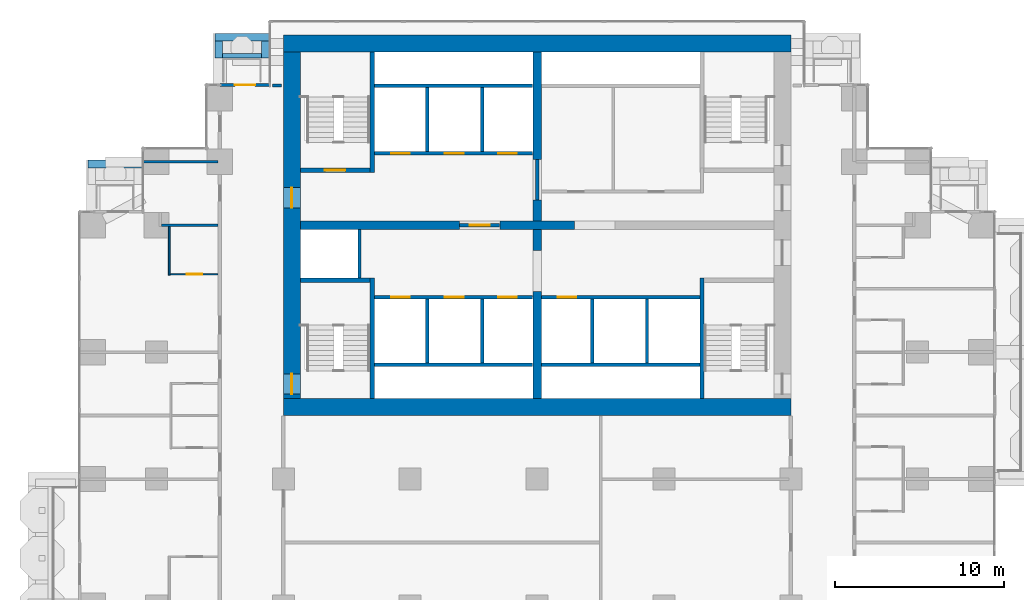
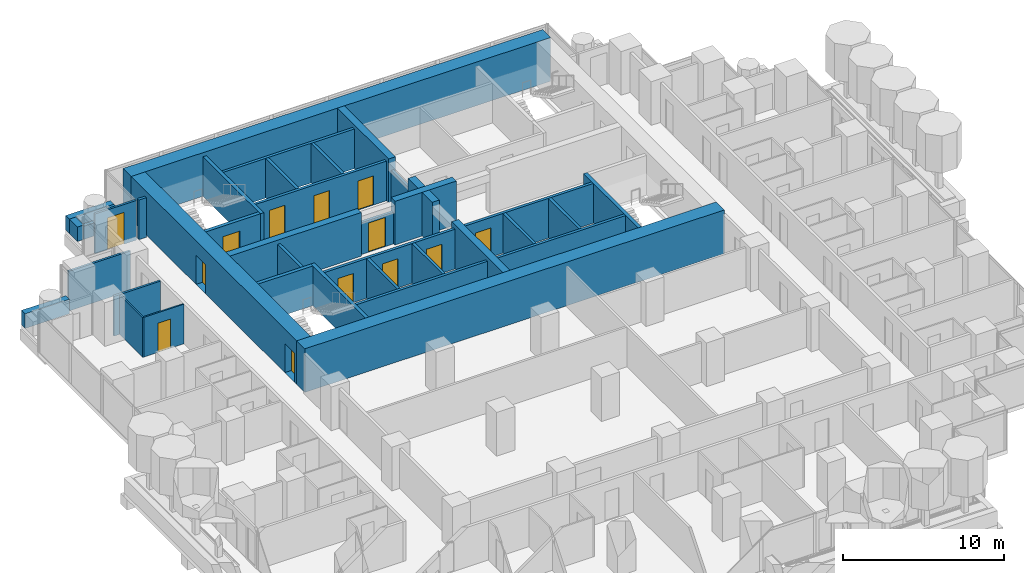
# One storey, part 14 of 19: 40 walls, 13 doors, 13 openings.
"""IFC4 building model written with IfcOpenShell, lengths in metres."""

from ifc_helpers import new_model, si_unit, direction, frame, frame_2d, origin, place, context, subcontext, project, spatial, rectangle, extrude, material, layer, layer_set, type_object, element, fill, save


model = new_model("IFC4")

# Units and contexts
model_context = context("Model", 3, precision=1e-05, world=origin(), true_north=direction((0.0, 1.0)))
body_context = subcontext(model_context, "Body", "Model", "MODEL_VIEW")
ifc_project = project(units=[si_unit("LENGTHUNIT", "METRE"), si_unit("AREAUNIT", "SQUARE_METRE"), si_unit("VOLUMEUNIT", "CUBIC_METRE"), si_unit("PLANEANGLEUNIT", "RADIAN"), si_unit("MASSUNIT", "GRAM", prefix="KILO")], contexts=[model_context])

# Site, building, storey
site_placement = place(None, origin())
site = spatial("IfcSite", under=ifc_project, at=site_placement, CompositionType="ELEMENT")
building_placement = place(site_placement, origin())
building = spatial("IfcBuilding", under=site, at=building_placement, Name="Pilkhan Gate Tower", CompositionType="ELEMENT")
storey_placement = place(building_placement, frame((0.0, 0.0, 59.300048828125)))
storey = spatial("IfcBuildingStorey", under=building, at=storey_placement, Name="L12", CompositionType="ELEMENT", Elevation=59.300048828125)

# Walls
ifc_material_1 = material(Name="Concrete C40/50", Category="concrete")
ifc_layer_1 = layer(ifc_material_1, 0.25)
ifc_layer_set_1 = layer_set([ifc_layer_1], Name="Balcony planter BP250")
wall_type_1 = type_object("IfcWallType", Name="Balcony planter BP250", PredefinedType="USERDEFINED", material=ifc_layer_set_1)
wall_1_placement = place(storey_placement, frame((56.39990234375, 92.52490234375, 0.0), z_axis=(0.0, 0.0, 1.0), x_axis=(1.0, 0.0, 0.0)))
element("IfcWall", 1, at=wall_1_placement, inside=storey, type_object=wall_type_1, Name="Balcony planter L12 N", ObjectType="BALCONY PLANTER", PredefinedType="USERDEFINED", context=body_context, shape_type="SweptSolid", body=[
    extrude(rectangle(XDim=2.300048828125, YDim=0.25, at=frame_2d((1.14990234375, 0.0))), origin(), (0.0, 0.0, 1.0), 1.0),
])
ifc_material_2 = material(Name="Board-marked Concrete C40/50", Category="concrete")
ifc_layer_2 = layer(ifc_material_2, 0.449951171875)
ifc_layer_set_2 = layer_set([ifc_layer_2], Name="Balcony planter lip BL450")
wall_type_2 = type_object("IfcWallType", Name="Balcony planter lip BL450", PredefinedType="USERDEFINED", material=ifc_layer_set_2)
wall_2_placement = place(storey_placement, frame((55.949951171875, 93.625, 0.0), z_axis=(0.0, 0.0, 1.0), x_axis=(1.0, 0.0, 0.0)))
element("IfcWall", 2, at=wall_2_placement, inside=storey, type_object=wall_type_2, Name="Balcony planter L12 N", ObjectType="BALCONY PLANTER", PredefinedType="USERDEFINED", context=body_context, shape_type="SweptSolid", body=[
    extrude(rectangle(XDim=3.199951171875, YDim=0.449951171875, at=frame_2d((1.60009765625, 0.0))), origin(), (0.0, 0.0, 1.0), 1.099853515625),
])
for number, where, z_axis, x_axis, name in (
    (3, (56.175048828125, 92.39990234375, 0.0), (0.0, 0.0, 1.0), (0.0, 1.0, 0.0), "Balcony planter L12 N"),
    (4, (58.925048828125, 92.39990234375, 0.0), (0.0, 0.0, 1.0), (0.0, 1.0, 0.0), "Balcony planter L12 N"),
):
    element("IfcWall", number, at=place(storey_placement, frame(where, z_axis=z_axis, x_axis=x_axis)), inside=storey, type_object=wall_type_2, Name=name, ObjectType="BALCONY PLANTER", PredefinedType="USERDEFINED", context=body_context, shape_type="SweptSolid", body=[
        extrude(rectangle(XDim=1.0, YDim=0.449951171875, at=frame_2d((0.5, 0.0))), origin(), (0.0, 0.0, 1.0), 1.099853515625),
    ])
wall_3_placement = place(storey_placement, frame((48.449951171875, 86.125, 0.0), z_axis=(0.0, 0.0, 1.0), x_axis=(1.0, 0.0, 0.0)))
element("IfcWall", 5, at=wall_3_placement, inside=storey, type_object=wall_type_2, Name="Balcony planter L12 N", ObjectType="BALCONY PLANTER", PredefinedType="USERDEFINED", context=body_context, shape_type="SweptSolid", body=[
    extrude(rectangle(XDim=3.179931640625, YDim=0.449951171875, at=frame_2d((1.58984375, 0.0))), origin(), (0.0, 0.0, 1.0), 1.099853515625),
])
ifc_material_3 = material(Name="Concrete C70/85", Category="concrete")
ifc_layer_3 = layer(ifc_material_3, 1.0)
ifc_layer_set_3 = layer_set([ifc_layer_3], Name="Core wall CW1000 C70/85")
wall_type_3 = type_object("IfcWallType", Name="Core wall CW1000 C70/85", PredefinedType="SHEAR", material=ifc_layer_set_3)
for number, where, z_axis, x_axis, name in (
    (6, (60.0, 71.75, 0.0), (0.0, 0.0, 1.0), (1.0, 0.0, 0.0), "Core wall S L12"),
    (7, (90.0, 93.25, 0.0), (0.0, 0.0, 1.0), (-1.0, 0.0, 0.0), "Core wall N L12"),
):
    element("IfcWall", number, at=place(storey_placement, frame(where, z_axis=z_axis, x_axis=x_axis)), inside=storey, type_object=wall_type_3, Name=name, PredefinedType="SHEAR", context=body_context, shape_type="SweptSolid", body=[
        extrude(rectangle(XDim=30.0, YDim=1.0, at=frame_2d((15.0, 0.0))), origin(), (0.0, 0.0, 1.0), 3.300048828125),
    ])

# Wall, openings, doors
wall_4_placement = place(storey_placement, frame((60.5, 92.75, 0.0), z_axis=(0.0, 0.0, 1.0), x_axis=(0.0, -1.0, 0.0)))
wall_4 = element("IfcWall", 8, at=wall_4_placement, inside=storey, type_object=wall_type_3, Name="Core wall W L12", PredefinedType="SHEAR", context=body_context, shape_type="SweptSolid", body=[
    extrude(rectangle(XDim=20.5, YDim=1.0, at=frame_2d((10.25, 0.0))), origin(), (0.0, 0.0, 1.0), 3.300048828125),
])
opening_1_placement = place(wall_4_placement, frame((19.02490234375, 0.0, 0.0)))
opening_1 = element("IfcOpeningElement", 9, at=opening_1_placement, cuts=wall_4, Name="Opening L12-04", PredefinedType="OPENING", context=body_context, shape_type="SweptSolid", body=[
    extrude(rectangle(XDim=1.199951171875, YDim=2.199951171875, at=frame_2d((0.60009765625, 1.10009765625))), frame((0.0, 0.510009765625, 0.0), z_axis=(0.0, -1.0, 0.0), x_axis=(1.0, 0.0, 0.0)), (0.0, 0.0, 1.0), 1.02001953125),
])
opening_2_placement = place(wall_4_placement, frame((8.02490234375, 0.0, 0.0)))
opening_2 = element("IfcOpeningElement", 10, at=opening_2_placement, cuts=wall_4, Name="Opening L12-45", PredefinedType="OPENING", context=body_context, shape_type="SweptSolid", body=[
    extrude(rectangle(XDim=1.199951171875, YDim=2.199951171875, at=frame_2d((0.60009765625, 1.10009765625))), frame((0.0, 0.510009765625, 0.0), z_axis=(0.0, -1.0, 0.0), x_axis=(1.0, 0.0, 0.0)), (0.0, 0.0, 1.0), 1.02001953125),
])
ifc_material_4 = material(Name="Steel door, 120 minute fire resisting, self-closing", Category="steel")
door_type_1 = type_object("IfcDoorType", Name="Firefighting lobby door D10 1200x2200", OperationType="SINGLE_SWING_LEFT", PredefinedType="DOOR", material=ifc_material_4)
door_1_placement = place(opening_2_placement, origin())
door_1 = element("IfcDoor", 11, at=door_1_placement, inside=storey, type_object=door_type_1, Name="Core door", OperationType="SINGLE_SWING_LEFT", OverallHeight=2.199951171875, OverallWidth=1.199951171875, PredefinedType="DOOR", context=body_context, shape_type="SweptSolid", body=[
    extrude(rectangle(XDim=1.199951171875, YDim=2.199951171875, at=frame_2d((0.60009765625, 1.10009765625))), frame((0.0, 0.02490234375, 0.0), z_axis=(0.0, -1.0, 0.0), x_axis=(1.0, 0.0, 0.0)), (0.0, 0.0, 1.0), 0.050048828125),
])
fill(opening_2, door_1)
ifc_material_5 = material(Name="Steel door, 120 minute fire resisting, panic bar", Category="steel")
door_type_2 = type_object("IfcDoorType", Name="Stair door D11 1200x2200", OperationType="SINGLE_SWING_LEFT", PredefinedType="DOOR", material=ifc_material_5)
door_2_placement = place(opening_1_placement, origin())
door_2 = element("IfcDoor", 12, at=door_2_placement, inside=storey, type_object=door_type_2, Name="Stair ST2 door", OperationType="SINGLE_SWING_LEFT", OverallHeight=2.199951171875, OverallWidth=1.199951171875, PredefinedType="DOOR", context=body_context, shape_type="SweptSolid", body=[
    extrude(rectangle(XDim=1.199951171875, YDim=2.199951171875, at=frame_2d((0.60009765625, 1.10009765625))), frame((0.0, 0.02490234375, 0.0), z_axis=(0.0, -1.0, 0.0), x_axis=(1.0, 0.0, 0.0)), (0.0, 0.0, 1.0), 0.050048828125),
])
fill(opening_1, door_2)

# Wall
ifc_material_6 = material(Name="Dense blockwork", Category="masonry")
ifc_layer_4 = layer(ifc_material_6, 0.199951171875)
ifc_layer_set_4 = layer_set([ifc_layer_4], Name="Corridor wall FW200")
wall_type_4 = type_object("IfcWallType", Name="Corridor wall FW200", PredefinedType="PARTITIONING", material=ifc_layer_set_4)
wall_5_placement = place(storey_placement, frame((59.35498046875, 90.764892578125, 0.0), z_axis=(0.0, 0.0, 1.0), x_axis=(1.0, 0.0, 0.0)))
element("IfcWall", 13, at=wall_5_placement, inside=storey, type_object=wall_type_4, Name="Partition L12", PredefinedType="PARTITIONING", context=body_context, shape_type="SweptSolid", body=[
    extrude(rectangle(XDim=0.52490234375, YDim=0.199951171875, at=frame_2d((0.262451171875, 0.0))), origin(), (0.0, 0.0, 1.0), 3.0),
])

# Wall, opening, door
ifc_material_7 = material(Name="Pale anodised aluminium, clear laminated glazing", Category="aluminium")
ifc_layer_5 = layer(ifc_material_7, 0.14990234375)
ifc_layer_set_5 = layer_set([ifc_layer_5], Name="Facade infill wall IW150")
wall_type_5 = type_object("IfcWallType", Name="Facade infill wall IW150", PredefinedType="SOLIDWALL", material=ifc_layer_set_5)
wall_6_placement = place(storey_placement, frame((56.25, 90.794921875, 0.0), z_axis=(0.0, 0.0, 1.0), x_axis=(1.0, 0.0, 0.0)))
wall_6 = element("IfcWall", 14, at=wall_6_placement, inside=storey, type_object=wall_type_5, Name="Infill wall L12 N", PredefinedType="SOLIDWALL", context=body_context, shape_type="SweptSolid", body=[
    extrude(rectangle(XDim=2.955078125, YDim=0.14990234375, at=frame_2d((1.4775390625, 0.0))), origin(), (0.0, 0.0, 1.0), 3.0),
])
opening_3_placement = place(wall_6_placement, frame((0.87744140625, 0.0, 0.0)))
opening_3 = element("IfcOpeningElement", 15, at=opening_3_placement, cuts=wall_6, Name="Opening D1", PredefinedType="OPENING", context=body_context, shape_type="SweptSolid", body=[
    extrude(rectangle(XDim=1.199951171875, YDim=2.39990234375, at=frame_2d((0.60009765625, 1.199951171875))), frame((0.0, 0.0849609375, 0.0), z_axis=(0.0, -1.0, 0.0), x_axis=(1.0, 0.0, 0.0)), (0.0, 0.0, 1.0), 0.169921875),
])
ifc_material_8 = material(Name="Pale anodised aluminium, clear glazing", Category="aluminium")
door_type_3 = type_object("IfcDoorType", Name="Balcony door D1 1200x2400", OperationType="SINGLE_SWING_LEFT", PredefinedType="DOOR", material=ifc_material_8)
door_3_placement = place(opening_3_placement, origin())
door_3 = element("IfcDoor", 16, at=door_3_placement, inside=storey, type_object=door_type_3, Name="Balcony door L12", OperationType="SINGLE_SWING_LEFT", OverallHeight=2.39990234375, OverallWidth=1.199951171875, PredefinedType="DOOR", context=body_context, shape_type="SweptSolid", body=[
    extrude(rectangle(XDim=1.199951171875, YDim=2.39990234375, at=frame_2d((0.60009765625, 1.199951171875))), frame((0.0, 0.02490234375, 0.0), z_axis=(0.0, -1.0, 0.0), x_axis=(1.0, 0.0, 0.0)), (0.0, 0.0, 1.0), 0.050048828125),
])
fill(opening_3, door_3)

ifc_layer_6 = layer(ifc_material_6, 0.199951171875)
ifc_layer_set_6 = layer_set([ifc_layer_6], Name="Lobby wall LW200")
wall_type_6 = type_object("IfcWallType", Name="Lobby wall LW200", PredefinedType="PARTITIONING", material=ifc_layer_set_6)
wall_7_placement = place(storey_placement, frame((70.409912109375, 82.5, 0.0), z_axis=(0.0, 0.0, 1.0), x_axis=(1.0, 0.0, 0.0)))
wall_7 = element("IfcWall", 17, at=wall_7_placement, inside=storey, type_object=wall_type_6, Name="Partition L12", PredefinedType="PARTITIONING", context=body_context, shape_type="SweptSolid", body=[
    extrude(rectangle(XDim=2.380126953125, YDim=0.199951171875, at=frame_2d((1.18994140625, 0.0))), origin(), (0.0, 0.0, 1.0), 2.39990234375),
])
opening_4_placement = place(wall_7_placement, frame((0.60009765625, 0.0, 0.0)))
opening_4 = element("IfcOpeningElement", 18, at=opening_4_placement, cuts=wall_7, Name="Opening L12-01", PredefinedType="OPENING", context=body_context, shape_type="SweptSolid", body=[
    extrude(rectangle(XDim=1.199951171875, YDim=2.199951171875, at=frame_2d((0.60009765625, 1.10009765625))), frame((0.0, 0.10986328125, 0.0), z_axis=(0.0, -1.0, 0.0), x_axis=(1.0, 0.0, 0.0)), (0.0, 0.0, 1.0), 0.219970703125),
])
door_4_placement = place(opening_4_placement, origin())
door_4 = element("IfcDoor", 19, at=door_4_placement, inside=storey, type_object=door_type_1, Name="Firefighting lobby door", OperationType="SINGLE_SWING_RIGHT", OverallHeight=2.199951171875, OverallWidth=1.199951171875, PredefinedType="DOOR", context=body_context, shape_type="SweptSolid", body=[
    extrude(rectangle(XDim=1.199951171875, YDim=2.199951171875, at=frame_2d((0.60009765625, 1.10009765625))), frame((0.0, 0.02490234375, 0.0), z_axis=(0.0, -1.0, 0.0), x_axis=(1.0, 0.0, 0.0)), (0.0, 0.0, 1.0), 0.050048828125),
])
fill(opening_4, door_4)

# Walls
wall_8_placement = place(storey_placement, frame((75.0, 84.010009765625, 0.0), z_axis=(0.0, 0.0, 1.0), x_axis=(0.0, 1.0, 0.0)))
element("IfcWall", 20, at=wall_8_placement, inside=storey, type_object=wall_type_6, Name="Partition L12", PredefinedType="PARTITIONING", context=body_context, shape_type="SweptSolid", body=[
    extrude(rectangle(XDim=2.3798828125, YDim=0.199951171875, at=frame_2d((1.18994140625, 0.0))), origin(), (0.0, 0.0, 1.0), 2.39990234375),
])
ifc_material_9 = material(Name="Blockwork partition, plastered both sides", Category="masonry")
ifc_layer_7 = layer(ifc_material_9, 0.14990234375)
ifc_layer_set_7 = layer_set([ifc_layer_7], Name="Partition PW150")
wall_type_7 = type_object("IfcWallType", Name="Partition PW150", PredefinedType="PARTITIONING", material=ifc_layer_set_7)
wall_9_placement = place(storey_placement, frame((52.81005859375, 82.5, 0.0), z_axis=(0.0, 0.0, 1.0), x_axis=(1.0, 0.0, 0.0)))
element("IfcWall", 21, at=wall_9_placement, inside=storey, type_object=wall_type_7, Name="Partition L12", PredefinedType="PARTITIONING", context=body_context, shape_type="SweptSolid", body=[
    extrude(rectangle(XDim=3.33984375, YDim=0.14990234375, at=frame_2d((1.669921875, 0.0))), origin(), (0.0, 0.0, 1.0), 3.0),
])
wall_10_placement = place(storey_placement, frame((51.735107421875, 86.25, 0.0), z_axis=(0.0, 0.0, 1.0), x_axis=(1.0, 0.0, 0.0)))
element("IfcWall", 22, at=wall_10_placement, inside=storey, type_object=wall_type_7, Name="Partition L12", PredefinedType="PARTITIONING", context=body_context, shape_type="SweptSolid", body=[
    extrude(rectangle(XDim=4.414794921875, YDim=0.14990234375, at=frame_2d((2.20751953125, 0.0))), origin(), (0.0, 0.0, 1.0), 3.0),
])
ifc_material_10 = material(Name="Reinforced blockwork shaft wall, 120 minute fire resisting", Category="masonry")
ifc_layer_8 = layer(ifc_material_10, 0.199951171875)
ifc_layer_set_8 = layer_set([ifc_layer_8], Name="Shaft wall SW200")
wall_type_8 = type_object("IfcWallType", Name="Shaft wall SW200", PredefinedType="PARTITIONING", material=ifc_layer_set_8)
for number, where, z_axis, x_axis, name in (
    (23, (65.375, 74.25, 0.0), (0.0, 0.0, 1.0), (1.0, 0.0, 0.0), "Partition L12"),
    (24, (75.260009765625, 74.25, 0.0), (0.0, 0.0, 1.0), (1.0, 0.0, 0.0), "Partition L12"),
):
    element("IfcWall", number, at=place(storey_placement, frame(where, z_axis=z_axis, x_axis=x_axis)), inside=storey, type_object=wall_type_8, Name=name, PredefinedType="PARTITIONING", context=body_context, shape_type="SweptSolid", body=[
        extrude(rectangle(XDim=9.364990234375, YDim=0.199951171875, at=frame_2d((4.6826171875, 0.0))), origin(), (0.0, 0.0, 1.0), 3.0),
    ])

# Wall, openings, doors
wall_11_placement = place(storey_placement, frame((65.375, 78.25, 0.0), z_axis=(0.0, 0.0, 1.0), x_axis=(1.0, 0.0, 0.0)))
wall_11 = element("IfcWall", 25, at=wall_11_placement, inside=storey, type_object=wall_type_8, Name="Partition L12", PredefinedType="PARTITIONING", context=body_context, shape_type="SweptSolid", body=[
    extrude(rectangle(XDim=9.364990234375, YDim=0.199951171875, at=frame_2d((4.6826171875, 0.0))), origin(), (0.0, 0.0, 1.0), 3.0),
])
opening_5_placement = place(wall_11_placement, frame((1.0, 0.0, 0.0)))
opening_5 = element("IfcOpeningElement", 26, at=opening_5_placement, cuts=wall_11, Name="Opening LD", PredefinedType="OPENING", context=body_context, shape_type="SweptSolid", body=[
    extrude(rectangle(XDim=1.10009765625, YDim=2.199951171875, at=frame_2d((0.550048828125, 1.10009765625))), frame((0.0, 0.10986328125, 0.0), z_axis=(0.0, -1.0, 0.0), x_axis=(1.0, 0.0, 0.0)), (0.0, 0.0, 1.0), 0.219970703125),
])
opening_6_placement = place(wall_11_placement, frame((4.175048828125, 0.0, 0.0)))
opening_6 = element("IfcOpeningElement", 27, at=opening_6_placement, cuts=wall_11, Name="Opening LD", PredefinedType="OPENING", context=body_context, shape_type="SweptSolid", body=[
    extrude(rectangle(XDim=1.10009765625, YDim=2.199951171875, at=frame_2d((0.550048828125, 1.10009765625))), frame((0.0, 0.10986328125, 0.0), z_axis=(0.0, -1.0, 0.0), x_axis=(1.0, 0.0, 0.0)), (0.0, 0.0, 1.0), 0.219970703125),
])
opening_7_placement = place(wall_11_placement, frame((7.324951171875, 0.0, 0.0)))
opening_7 = element("IfcOpeningElement", 28, at=opening_7_placement, cuts=wall_11, Name="Opening LD", PredefinedType="OPENING", context=body_context, shape_type="SweptSolid", body=[
    extrude(rectangle(XDim=1.10009765625, YDim=2.199951171875, at=frame_2d((0.550048828125, 1.10009765625))), frame((0.0, 0.10986328125, 0.0), z_axis=(0.0, -1.0, 0.0), x_axis=(1.0, 0.0, 0.0)), (0.0, 0.0, 1.0), 0.219970703125),
])
ifc_material_11 = material(Name="Stainless steel centre-opening landing door, 120 minute fire resisting", Category="steel")
door_type_4 = type_object("IfcDoorType", Name="Lift landing door LD 1100x2200", OperationType="DOUBLE_DOOR_SLIDING", PredefinedType="DOOR", material=ifc_material_11)
door_5_placement = place(opening_5_placement, origin())
door_5 = element("IfcDoor", 29, at=door_5_placement, inside=storey, type_object=door_type_4, Name="Landing door LR1", OperationType="DOUBLE_DOOR_SLIDING", OverallHeight=2.199951171875, OverallWidth=1.10009765625, PredefinedType="DOOR", context=body_context, shape_type="SweptSolid", body=[
    extrude(rectangle(XDim=1.10009765625, YDim=2.199951171875, at=frame_2d((0.550048828125, 1.10009765625))), frame((0.0, 0.02490234375, 0.0), z_axis=(0.0, -1.0, 0.0), x_axis=(1.0, 0.0, 0.0)), (0.0, 0.0, 1.0), 0.050048828125),
])
fill(opening_5, door_5)
door_6_placement = place(opening_6_placement, origin())
door_6 = element("IfcDoor", 30, at=door_6_placement, inside=storey, type_object=door_type_4, Name="Landing door LR2", OperationType="DOUBLE_DOOR_SLIDING", OverallHeight=2.199951171875, OverallWidth=1.10009765625, PredefinedType="DOOR", context=body_context, shape_type="SweptSolid", body=[
    extrude(rectangle(XDim=1.10009765625, YDim=2.199951171875, at=frame_2d((0.550048828125, 1.10009765625))), frame((0.0, 0.02490234375, 0.0), z_axis=(0.0, -1.0, 0.0), x_axis=(1.0, 0.0, 0.0)), (0.0, 0.0, 1.0), 0.050048828125),
])
fill(opening_6, door_6)
door_7_placement = place(opening_7_placement, origin())
door_7 = element("IfcDoor", 31, at=door_7_placement, inside=storey, type_object=door_type_4, Name="Landing door LR3", OperationType="DOUBLE_DOOR_SLIDING", OverallHeight=2.199951171875, OverallWidth=1.10009765625, PredefinedType="DOOR", context=body_context, shape_type="SweptSolid", body=[
    extrude(rectangle(XDim=1.10009765625, YDim=2.199951171875, at=frame_2d((0.550048828125, 1.10009765625))), frame((0.0, 0.02490234375, 0.0), z_axis=(0.0, -1.0, 0.0), x_axis=(1.0, 0.0, 0.0)), (0.0, 0.0, 1.0), 0.050048828125),
])
fill(opening_7, door_7)

# Wall, opening, door
wall_12_placement = place(storey_placement, frame((75.260009765625, 78.25, 0.0), z_axis=(0.0, 0.0, 1.0), x_axis=(1.0, 0.0, 0.0)))
wall_12 = element("IfcWall", 32, at=wall_12_placement, inside=storey, type_object=wall_type_8, Name="Partition L12", PredefinedType="PARTITIONING", context=body_context, shape_type="SweptSolid", body=[
    extrude(rectangle(XDim=9.364990234375, YDim=0.199951171875, at=frame_2d((4.6826171875, 0.0))), origin(), (0.0, 0.0, 1.0), 3.0),
])
opening_8_placement = place(wall_12_placement, frame((0.949951171875, 0.0, 0.0)))
opening_8 = element("IfcOpeningElement", 33, at=opening_8_placement, cuts=wall_12, Name="Opening LD", PredefinedType="OPENING", context=body_context, shape_type="SweptSolid", body=[
    extrude(rectangle(XDim=1.10009765625, YDim=2.199951171875, at=frame_2d((0.550048828125, 1.10009765625))), frame((0.0, 0.10986328125, 0.0), z_axis=(0.0, -1.0, 0.0), x_axis=(1.0, 0.0, 0.0)), (0.0, 0.0, 1.0), 0.219970703125),
])
door_8_placement = place(opening_8_placement, origin())
door_8 = element("IfcDoor", 34, at=door_8_placement, inside=storey, type_object=door_type_4, Name="Landing door LR4", OperationType="DOUBLE_DOOR_SLIDING", OverallHeight=2.199951171875, OverallWidth=1.10009765625, PredefinedType="DOOR", context=body_context, shape_type="SweptSolid", body=[
    extrude(rectangle(XDim=1.10009765625, YDim=2.199951171875, at=frame_2d((0.550048828125, 1.10009765625))), frame((0.0, 0.02490234375, 0.0), z_axis=(0.0, -1.0, 0.0), x_axis=(1.0, 0.0, 0.0)), (0.0, 0.0, 1.0), 0.050048828125),
])
fill(opening_8, door_8)

# Wall, openings, doors
wall_13_placement = place(storey_placement, frame((65.375, 86.75, 0.0), z_axis=(0.0, 0.0, 1.0), x_axis=(1.0, 0.0, 0.0)))
wall_13 = element("IfcWall", 35, at=wall_13_placement, inside=storey, type_object=wall_type_8, Name="Partition L12", PredefinedType="PARTITIONING", context=body_context, shape_type="SweptSolid", body=[
    extrude(rectangle(XDim=9.364990234375, YDim=0.199951171875, at=frame_2d((4.6826171875, 0.0))), origin(), (0.0, 0.0, 1.0), 3.0),
])
opening_9_placement = place(wall_13_placement, frame((1.0, 0.0, 0.0)))
opening_9 = element("IfcOpeningElement", 36, at=opening_9_placement, cuts=wall_13, Name="Opening LD", PredefinedType="OPENING", context=body_context, shape_type="SweptSolid", body=[
    extrude(rectangle(XDim=1.10009765625, YDim=2.199951171875, at=frame_2d((0.550048828125, 1.10009765625))), frame((0.0, 0.10986328125, 0.0), z_axis=(0.0, -1.0, 0.0), x_axis=(1.0, 0.0, 0.0)), (0.0, 0.0, 1.0), 0.219970703125),
])
opening_10_placement = place(wall_13_placement, frame((4.175048828125, 0.0, 0.0)))
opening_10 = element("IfcOpeningElement", 37, at=opening_10_placement, cuts=wall_13, Name="Opening LD", PredefinedType="OPENING", context=body_context, shape_type="SweptSolid", body=[
    extrude(rectangle(XDim=1.10009765625, YDim=2.199951171875, at=frame_2d((0.550048828125, 1.10009765625))), frame((0.0, 0.10986328125, 0.0), z_axis=(0.0, -1.0, 0.0), x_axis=(1.0, 0.0, 0.0)), (0.0, 0.0, 1.0), 0.219970703125),
])
opening_11_placement = place(wall_13_placement, frame((7.324951171875, 0.0, 0.0)))
opening_11 = element("IfcOpeningElement", 38, at=opening_11_placement, cuts=wall_13, Name="Opening LD", PredefinedType="OPENING", context=body_context, shape_type="SweptSolid", body=[
    extrude(rectangle(XDim=1.10009765625, YDim=2.199951171875, at=frame_2d((0.550048828125, 1.10009765625))), frame((0.0, 0.10986328125, 0.0), z_axis=(0.0, -1.0, 0.0), x_axis=(1.0, 0.0, 0.0)), (0.0, 0.0, 1.0), 0.219970703125),
])
door_9_placement = place(opening_9_placement, origin())
door_9 = element("IfcDoor", 39, at=door_9_placement, inside=storey, type_object=door_type_4, Name="Landing door FF1", OperationType="DOUBLE_DOOR_SLIDING", OverallHeight=2.199951171875, OverallWidth=1.10009765625, PredefinedType="DOOR", context=body_context, shape_type="SweptSolid", body=[
    extrude(rectangle(XDim=1.10009765625, YDim=2.199951171875, at=frame_2d((0.550048828125, 1.10009765625))), frame((0.0, 0.02490234375, 0.0), z_axis=(0.0, -1.0, 0.0), x_axis=(1.0, 0.0, 0.0)), (0.0, 0.0, 1.0), 0.050048828125),
])
fill(opening_9, door_9)
door_10_placement = place(opening_10_placement, origin())
door_10 = element("IfcDoor", 40, at=door_10_placement, inside=storey, type_object=door_type_4, Name="Landing door FF2", OperationType="DOUBLE_DOOR_SLIDING", OverallHeight=2.199951171875, OverallWidth=1.10009765625, PredefinedType="DOOR", context=body_context, shape_type="SweptSolid", body=[
    extrude(rectangle(XDim=1.10009765625, YDim=2.199951171875, at=frame_2d((0.550048828125, 1.10009765625))), frame((0.0, 0.02490234375, 0.0), z_axis=(0.0, -1.0, 0.0), x_axis=(1.0, 0.0, 0.0)), (0.0, 0.0, 1.0), 0.050048828125),
])
fill(opening_10, door_10)
door_11_placement = place(opening_11_placement, origin())
door_11 = element("IfcDoor", 41, at=door_11_placement, inside=storey, type_object=door_type_4, Name="Landing door SV1", OperationType="DOUBLE_DOOR_SLIDING", OverallHeight=2.199951171875, OverallWidth=1.10009765625, PredefinedType="DOOR", context=body_context, shape_type="SweptSolid", body=[
    extrude(rectangle(XDim=1.10009765625, YDim=2.199951171875, at=frame_2d((0.550048828125, 1.10009765625))), frame((0.0, 0.02490234375, 0.0), z_axis=(0.0, -1.0, 0.0), x_axis=(1.0, 0.0, 0.0)), (0.0, 0.0, 1.0), 0.050048828125),
])
fill(opening_11, door_11)

# Walls
wall_14_placement = place(storey_placement, frame((65.375, 90.75, 0.0), z_axis=(0.0, 0.0, 1.0), x_axis=(1.0, 0.0, 0.0)))
element("IfcWall", 42, at=wall_14_placement, inside=storey, type_object=wall_type_8, Name="Partition L12", PredefinedType="PARTITIONING", context=body_context, shape_type="SweptSolid", body=[
    extrude(rectangle(XDim=9.364990234375, YDim=0.199951171875, at=frame_2d((4.6826171875, 0.0))), origin(), (0.0, 0.0, 1.0), 3.0),
])
wall_15_placement = place(storey_placement, frame((64.5, 79.375, 0.0), z_axis=(0.0, 0.0, 1.0), x_axis=(0.0, 1.0, 0.0)))
element("IfcWall", 43, at=wall_15_placement, inside=storey, type_object=wall_type_8, Name="Partition L12", PredefinedType="PARTITIONING", context=body_context, shape_type="SweptSolid", body=[
    extrude(rectangle(XDim=2.864990234375, YDim=0.199951171875, at=frame_2d((1.4326171875, 0.0))), origin(), (0.0, 0.0, 1.0), 3.0),
])
for number, where, z_axis, x_axis, name in (
    (44, (68.5, 74.35009765625, 0.0), (0.0, 0.0, 1.0), (0.0, 1.0, 0.0), "Partition L12"),
    (45, (68.5, 86.85009765625, 0.0), (0.0, 0.0, 1.0), (0.0, 1.0, 0.0), "Partition L12"),
    (46, (71.75, 74.35009765625, 0.0), (0.0, 0.0, 1.0), (0.0, 1.0, 0.0), "Partition L12"),
    (47, (71.75, 86.85009765625, 0.0), (0.0, 0.0, 1.0), (0.0, 1.0, 0.0), "Partition L12"),
    (48, (78.25, 74.35009765625, 0.0), (0.0, 0.0, 1.0), (0.0, 1.0, 0.0), "Partition L12"),
    (49, (81.5, 74.35009765625, 0.0), (0.0, 0.0, 1.0), (0.0, 1.0, 0.0), "Partition L12"),
):
    element("IfcWall", number, at=place(storey_placement, frame(where, z_axis=z_axis, x_axis=x_axis)), inside=storey, type_object=wall_type_8, Name=name, PredefinedType="PARTITIONING", context=body_context, shape_type="SweptSolid", body=[
        extrude(rectangle(XDim=3.7998046875, YDim=0.199951171875, at=frame_2d((1.89990234375, 0.0))), origin(), (0.0, 0.0, 1.0), 3.0),
    ])
ifc_layer_9 = layer(ifc_material_3, 0.5)
ifc_layer_set_9 = layer_set([ifc_layer_9], Name="Spine wall SW500 C70/85")
wall_type_9 = type_object("IfcWallType", Name="Spine wall SW500 C70/85", PredefinedType="SHEAR", material=ifc_layer_set_9)
wall_16_placement = place(storey_placement, frame((61.0, 82.5, 0.0), z_axis=(0.0, 0.0, 1.0), x_axis=(1.0, 0.0, 0.0)))
element("IfcWall", 50, at=wall_16_placement, inside=storey, type_object=wall_type_9, Name="Spine wall SP-EW1 L12", PredefinedType="SHEAR", context=body_context, shape_type="SweptSolid", body=[
    extrude(rectangle(XDim=9.39990234375, YDim=0.5, at=frame_2d((4.699951171875, 0.0))), origin(), (0.0, 0.0, 1.0), 3.300048828125),
])
wall_17_placement = place(storey_placement, frame((72.800048828125, 82.5, 0.0), z_axis=(0.0, 0.0, 1.0), x_axis=(1.0, 0.0, 0.0)))
element("IfcWall", 51, at=wall_17_placement, inside=storey, type_object=wall_type_9, Name="Spine wall SP-EW2 L12", PredefinedType="SHEAR", context=body_context, shape_type="SweptSolid", body=[
    extrude(rectangle(XDim=4.39990234375, YDim=0.5, at=frame_2d((2.199951171875, 0.0))), origin(), (0.0, 0.0, 1.0), 3.300048828125),
])
wall_18_placement = place(storey_placement, frame((75.0, 72.25, 0.0), z_axis=(0.0, 0.0, 1.0), x_axis=(0.0, 1.0, 0.0)))
element("IfcWall", 52, at=wall_18_placement, inside=storey, type_object=wall_type_9, Name="Spine wall SP-NS-S1 L12", PredefinedType="SHEAR", context=body_context, shape_type="SweptSolid", body=[
    extrude(rectangle(XDim=6.35009765625, YDim=0.5, at=frame_2d((3.175048828125, 0.0))), origin(), (0.0, 0.0, 1.0), 3.300048828125),
])
for number, where, z_axis, x_axis, name in (
    (53, (75.0, 81.0, 0.0), (0.0, 0.0, 1.0), (0.0, 1.0, 0.0), "Spine wall SP-NS-S2 L12"),
    (54, (75.0, 82.75, 0.0), (0.0, 0.0, 1.0), (0.0, 1.0, 0.0), "Spine wall SP-NS-N1 L12"),
):
    element("IfcWall", number, at=place(storey_placement, frame(where, z_axis=z_axis, x_axis=x_axis)), inside=storey, type_object=wall_type_9, Name=name, PredefinedType="SHEAR", context=body_context, shape_type="SweptSolid", body=[
        extrude(rectangle(XDim=1.25, YDim=0.5, at=frame_2d((0.625, 0.0))), origin(), (0.0, 0.0, 1.0), 3.300048828125),
    ])
wall_19_placement = place(storey_placement, frame((75.0, 86.39990234375, 0.0), z_axis=(0.0, 0.0, 1.0), x_axis=(0.0, 1.0, 0.0)))
element("IfcWall", 55, at=wall_19_placement, inside=storey, type_object=wall_type_9, Name="Spine wall SP-NS-N2 L12", PredefinedType="SHEAR", context=body_context, shape_type="SweptSolid", body=[
    extrude(rectangle(XDim=6.35009765625, YDim=0.5, at=frame_2d((3.175048828125, 0.0))), origin(), (0.0, 0.0, 1.0), 3.300048828125),
])
ifc_material_12 = material(Name="Reinforced blockwork, 120 minute fire resisting", Category="masonry")
ifc_layer_10 = layer(ifc_material_12, 0.25)
ifc_layer_set_10 = layer_set([ifc_layer_10], Name="Stair enclosure wall SE250")
wall_type_10 = type_object("IfcWallType", Name="Stair enclosure wall SE250", PredefinedType="PARTITIONING", material=ifc_layer_set_10)
wall_20_placement = place(storey_placement, frame((61.010009765625, 79.25, 0.0), z_axis=(0.0, 0.0, 1.0), x_axis=(1.0, 0.0, 0.0)))
element("IfcWall", 56, at=wall_20_placement, inside=storey, type_object=wall_type_10, Name="Partition L12", PredefinedType="PARTITIONING", context=body_context, shape_type="SweptSolid", body=[
    extrude(rectangle(XDim=4.114990234375, YDim=0.25, at=frame_2d((2.0576171875, 0.0))), origin(), (0.0, 0.0, 1.0), 3.0),
])

# Wall, opening, door
wall_21_placement = place(storey_placement, frame((61.010009765625, 85.75, 0.0), z_axis=(0.0, 0.0, 1.0), x_axis=(1.0, 0.0, 0.0)))
wall_21 = element("IfcWall", 57, at=wall_21_placement, inside=storey, type_object=wall_type_10, Name="Partition L12", PredefinedType="PARTITIONING", context=body_context, shape_type="SweptSolid", body=[
    extrude(rectangle(XDim=4.114990234375, YDim=0.25, at=frame_2d((2.0576171875, 0.0))), origin(), (0.0, 0.0, 1.0), 3.0),
])
opening_12_placement = place(wall_21_placement, frame((1.449951171875, 0.0, 0.0)))
opening_12 = element("IfcOpeningElement", 58, at=opening_12_placement, cuts=wall_21, Name="Opening L12-02", PredefinedType="OPENING", context=body_context, shape_type="SweptSolid", body=[
    extrude(rectangle(XDim=1.199951171875, YDim=2.199951171875, at=frame_2d((0.60009765625, 1.10009765625))), frame((0.0, 0.135009765625, 0.0), z_axis=(0.0, -1.0, 0.0), x_axis=(1.0, 0.0, 0.0)), (0.0, 0.0, 1.0), 0.27001953125),
])
door_12_placement = place(opening_12_placement, origin())
door_12 = element("IfcDoor", 59, at=door_12_placement, inside=storey, type_object=door_type_2, Name="Stair ST3 lobby door", OperationType="SINGLE_SWING_LEFT", OverallHeight=2.199951171875, OverallWidth=1.199951171875, PredefinedType="DOOR", context=body_context, shape_type="SweptSolid", body=[
    extrude(rectangle(XDim=1.199951171875, YDim=2.199951171875, at=frame_2d((0.60009765625, 1.10009765625))), frame((0.0, 0.02490234375, 0.0), z_axis=(0.0, -1.0, 0.0), x_axis=(1.0, 0.0, 0.0)), (0.0, 0.0, 1.0), 0.050048828125),
])
fill(opening_12, door_12)

# Walls
for number, where, z_axis, x_axis, name in (
    (60, (65.25, 72.260009765625, 0.0), (0.0, 0.0, 1.0), (0.0, 1.0, 0.0), "Partition L12"),
    (61, (65.25, 85.625, 0.0), (0.0, 0.0, 1.0), (0.0, 1.0, 0.0), "Partition L12"),
    (62, (84.75, 72.260009765625, 0.0), (0.0, 0.0, 1.0), (0.0, 1.0, 0.0), "Partition L12"),
):
    element("IfcWall", number, at=place(storey_placement, frame(where, z_axis=z_axis, x_axis=x_axis)), inside=storey, type_object=wall_type_10, Name=name, PredefinedType="PARTITIONING", context=body_context, shape_type="SweptSolid", body=[
        extrude(rectangle(XDim=7.114990234375, YDim=0.25, at=frame_2d((3.5576171875, 0.0))), origin(), (0.0, 0.0, 1.0), 3.0),
    ])

# Wall, opening, door
ifc_material_13 = material(Name="Moisture resistant board, tiled")
ifc_layer_11 = layer(ifc_material_13, 0.10009765625)
ifc_layer_set_11 = layer_set([ifc_layer_11], Name="Wet wall PW100")
wall_type_11 = type_object("IfcWallType", Name="Wet wall PW100", PredefinedType="PARTITIONING", material=ifc_layer_set_11)
wall_22_placement = place(storey_placement, frame((53.300048828125, 79.60009765625, 0.0), z_axis=(0.0, 0.0, 1.0), x_axis=(1.0, 0.0, 0.0)))
wall_22 = element("IfcWall", 63, at=wall_22_placement, inside=storey, type_object=wall_type_11, Name="Partition L12", PredefinedType="PARTITIONING", context=body_context, shape_type="SweptSolid", body=[
    extrude(rectangle(XDim=2.849853515625, YDim=0.10009765625, at=frame_2d((1.4248046875, 0.0))), origin(), (0.0, 0.0, 1.0), 3.0),
])
opening_13_placement = place(wall_22_placement, frame((1.0, 0.0, 0.0)))
opening_13 = element("IfcOpeningElement", 64, at=opening_13_placement, cuts=wall_22, Name="Opening L12-27", PredefinedType="OPENING", context=body_context, shape_type="SweptSolid", body=[
    extrude(rectangle(XDim=0.89990234375, YDim=2.199951171875, at=frame_2d((0.449951171875, 1.10009765625))), frame((0.0, 0.06005859375, 0.0), z_axis=(0.0, -1.0, 0.0), x_axis=(1.0, 0.0, 0.0)), (0.0, 0.0, 1.0), 0.1201171875),
])
ifc_material_14 = material(Name="Timber flush door", Category="wood")
door_type_5 = type_object("IfcDoorType", Name="Bathroom door D02 900x2200", OperationType="SINGLE_SWING_RIGHT", PredefinedType="DOOR", material=ifc_material_14)
door_13_placement = place(opening_13_placement, origin())
door_13 = element("IfcDoor", 65, at=door_13_placement, inside=storey, type_object=door_type_5, Name="Bathroom door", OperationType="SINGLE_SWING_RIGHT", OverallHeight=2.199951171875, OverallWidth=0.89990234375, PredefinedType="DOOR", context=body_context, shape_type="SweptSolid", body=[
    extrude(rectangle(XDim=0.89990234375, YDim=2.199951171875, at=frame_2d((0.449951171875, 1.10009765625))), frame((0.0, 0.02490234375, 0.0), z_axis=(0.0, -1.0, 0.0), x_axis=(1.0, 0.0, 0.0)), (0.0, 0.0, 1.0), 0.050048828125),
])
fill(opening_13, door_13)

# Wall
wall_23_placement = place(storey_placement, frame((53.25, 79.550048828125, 0.0), z_axis=(0.0, 0.0, 1.0), x_axis=(0.0, 1.0, 0.0)))
element("IfcWall", 66, at=wall_23_placement, inside=storey, type_object=wall_type_11, Name="Partition L12", PredefinedType="PARTITIONING", context=body_context, shape_type="SweptSolid", body=[
    extrude(rectangle(XDim=2.875, YDim=0.10009765625, at=frame_2d((1.4375, 0.0))), origin(), (0.0, 0.0, 1.0), 3.0),
])

save(model, "model.ifc")
